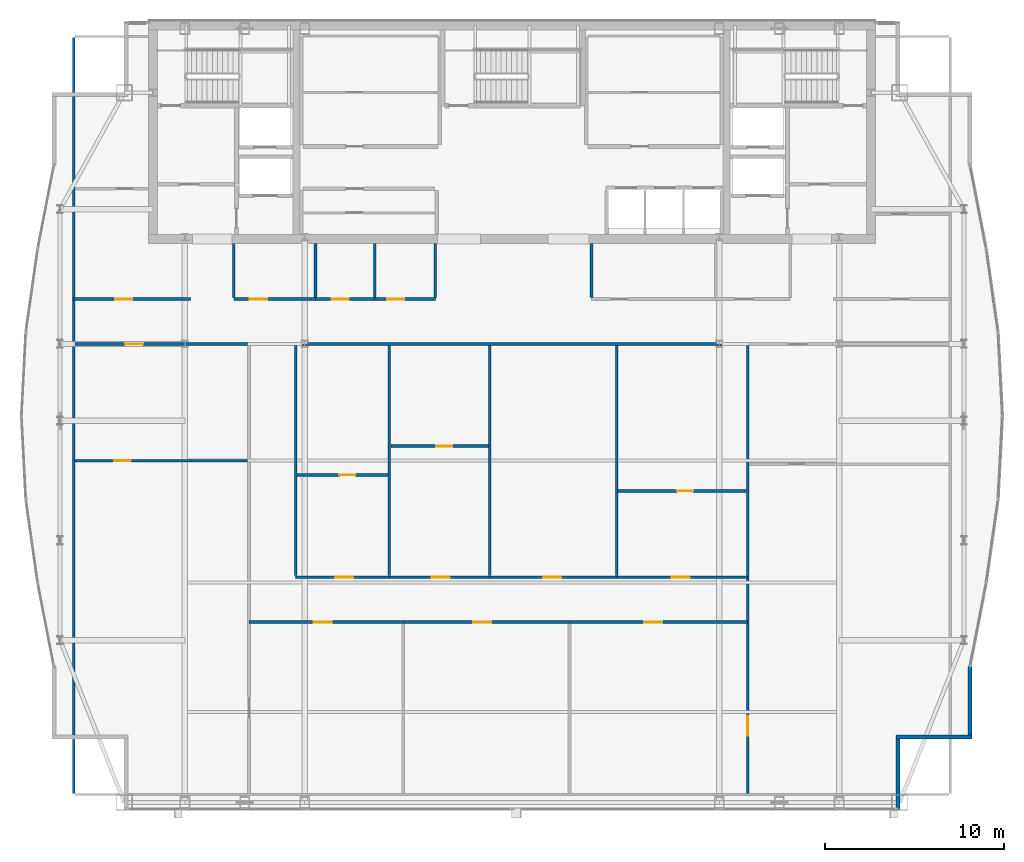
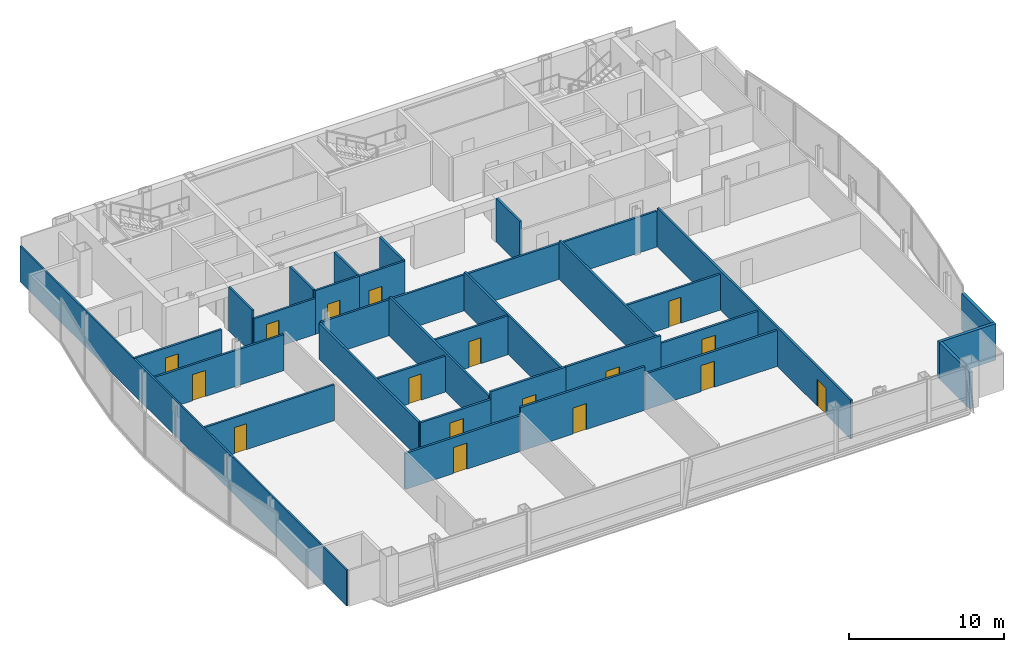
# One storey, part 22 of 27: 31 walls, 17 doors, 17 openings.
"""IFC4 building model written with IfcOpenShell, lengths in metres."""

import ifcopenshell
import ifcopenshell.guid

model = None  # the IFC model being written
_history = None  # IfcOwnerHistory: only IFC2X3 demands one
_inside = {}  # id of a spatial element -> (the spatial element, [elements in it])
_under = {}  # id of a project, library or spatial element -> (it, [spatial elements below it])
_declared = {}  # id of a project -> (the project, [libraries it declares])
_typed = {}  # id of a type object -> (the type object, [elements of that type])
_made_of = {}  # id of a material, layer set ... -> (it, [elements and type objects made of it])


def new_model(schema):
    """Start an empty IFC model of exactly this schema.

    Asked for "IFC4X3", IfcOpenShell would pick the latest addendum, in which some entities
    have other attributes; the version numbers below select the first issue.
    IFC2X3 requires an IfcOwnerHistory on every rooted entity: one is made here for all.
    """
    global model, _history
    if schema == "IFC4X3":
        model = ifcopenshell.file(schema_version=(4, 3, 0, 0))
    else:
        model = ifcopenshell.file(schema=schema)
    _inside.clear()
    _under.clear()
    _declared.clear()
    _typed.clear()
    _made_of.clear()
    _history = None
    if model.schema == "IFC2X3":
        org = make("IfcOrganization", Name="unknown")
        user = make(
            "IfcPersonAndOrganization",
            ThePerson=make("IfcPerson", FamilyName="unknown"),
            TheOrganization=org,
        )
        app = make(
            "IfcApplication",
            ApplicationDeveloper=org,
            Version="unknown",
            ApplicationFullName="unknown",
            ApplicationIdentifier="unknown",
        )
        _history = make(
            "IfcOwnerHistory",
            OwningUser=user,
            OwningApplication=app,
            ChangeAction="ADDED",
            CreationDate=0,
        )
    return model


def make(cls, **values):
    """One entity of the class cls with the attributes given. An attribute that is None is left unset."""
    return model.create_entity(
        cls, **{name: value for name, value in values.items() if value is not None}
    )


def rooted(cls, **values):
    """An entity with a GlobalId (a new one), such as an element, a storey or a relation."""
    return make(cls, GlobalId=ifcopenshell.guid.new(), OwnerHistory=_history, **values)


def si_unit(unit_type, name, prefix=None):
    """IfcSIUnit, for example si_unit("LENGTHUNIT", "METRE", prefix="MILLI")."""
    return make("IfcSIUnit", UnitType=unit_type, Prefix=prefix, Name=name)


def assignment(units):
    """IfcUnitAssignment: the units of a project."""
    return None if units is None else make("IfcUnitAssignment", Units=units)


def point(xyz):
    """IfcCartesianPoint."""
    return None if xyz is None else make("IfcCartesianPoint", Coordinates=xyz)


def direction(xyz):
    """IfcDirection."""
    return None if xyz is None else make("IfcDirection", DirectionRatios=xyz)


def frame(location, z_axis=None, x_axis=None):
    """IfcAxis2Placement3D, a coordinate frame: its origin and axes. An axis left out is left unset."""
    return make(
        "IfcAxis2Placement3D",
        Location=point(location),
        Axis=direction(z_axis),
        RefDirection=direction(x_axis),
    )


def frame_2d(location, x_axis=None):
    """IfcAxis2Placement2D, a coordinate frame in the plane: its origin and x axis."""
    return make(
        "IfcAxis2Placement2D", Location=point(location), RefDirection=direction(x_axis)
    )


def origin():
    """The frame at (0, 0, 0) with its axes left unset."""
    return frame((0.0, 0.0, 0.0))


def place(relative_to, where):
    """IfcLocalPlacement: puts the frame where relative to a parent placement (None: the world)."""
    return make(
        "IfcLocalPlacement", PlacementRelTo=relative_to, RelativePlacement=where
    )


def context(
    kind, dimensions, precision=None, world=None, true_north=None, identifier=None
):
    """IfcGeometricRepresentationContext, for example the 3D "Model" context."""
    return make(
        "IfcGeometricRepresentationContext",
        ContextIdentifier=identifier,
        ContextType=kind,
        CoordinateSpaceDimension=dimensions,
        Precision=precision,
        WorldCoordinateSystem=world,
        TrueNorth=true_north,
    )


def subcontext(parent, identifier, kind, view, scale=None):
    """IfcGeometricRepresentationSubContext, for example "Body" below "Model"."""
    return make(
        "IfcGeometricRepresentationSubContext",
        ContextIdentifier=identifier,
        ContextType=kind,
        ParentContext=parent,
        TargetScale=scale,
        TargetView=view,
    )


def project(units=None, contexts=None):
    """IfcProject with its units and contexts."""
    return rooted(
        "IfcProject",
        Name="project",
        RepresentationContexts=contexts,
        UnitsInContext=assignment(units),
    )


def spatial(cls, under=None, at=None, **own):
    """A site, building, storey or space (cls), placed at a placement, below another one or the project."""
    s = rooted(cls, ObjectPlacement=at, **own)
    if under is not None:
        _under.setdefault(under.id(), (under, []))[1].append(s)
    return s


def profile(cls, at=None, kind="AREA", **sizes):
    """A parametric profile (cls). Its sizes go by their IFC names, for example OverallWidth=200.0."""
    return make(cls, ProfileType=kind, Position=at, **sizes)


def rectangle(**sizes):
    """IfcRectangleProfileDef."""
    return profile("IfcRectangleProfileDef", **sizes)


def extrude(swept, where, along, depth):
    """IfcExtrudedAreaSolid: the profile swept, set in the frame where, extruded along a direction by depth."""
    return make(
        "IfcExtrudedAreaSolid",
        SweptArea=swept,
        Position=where,
        ExtrudedDirection=direction(along),
        Depth=depth,
    )


def shape(context_of_items, identifier, shape_type, items):
    """IfcShapeRepresentation: the items that make up one representation, for example the "Body"."""
    return make(
        "IfcShapeRepresentation",
        ContextOfItems=context_of_items,
        RepresentationIdentifier=identifier,
        RepresentationType=shape_type,
        Items=items,
    )


def material(Name=None, Category=None):
    """IfcMaterial."""
    return make("IfcMaterial", Name=Name, Category=Category)


def layer(
    of_material, thickness, ventilated=None, Name=None, Category=None, Priority=None
):
    """IfcMaterialLayer: one layer of a wall or slab, of a material (None: an air gap)."""
    return make(
        "IfcMaterialLayer",
        Material=of_material,
        LayerThickness=thickness,
        IsVentilated=ventilated,
        Name=Name,
        Category=Category,
        Priority=Priority,
    )


def layer_set(layers, Name=None):
    """IfcMaterialLayerSet."""
    return make("IfcMaterialLayerSet", MaterialLayers=layers, LayerSetName=Name)


def made_of(thing, what):
    """Note that an element or type object is made of a material, layer set ...; save() writes the relation."""
    if what is not None:
        _made_of.setdefault(what.id(), (what, []))[1].append(thing)
    return thing


def type_object(cls, material=None, **own):
    """A type object (cls), such as IfcWallType, which elements share."""
    return made_of(rooted(cls, **own), material)


def element(
    cls,
    number,
    at=None,
    inside=None,
    cuts=None,
    type_object=None,
    material=None,
    context=None,
    identifier="Body",
    shape_type=None,
    held_by="IfcProductDefinitionShape",
    body=None,
    shapes=None,
    **own,
):
    """One element of the class cls, such as IfcWall. Its Tag is "e" and its number.

    at: its placement. inside: the storey or other place that contains it. cuts: it is an
    opening in that element (IfcRelVoidsElement). A single representation is given by context,
    identifier, shape_type and body (its items); several are given by shapes. held_by: the class
    of the entity that holds the representations. save() writes the other relations.
    """
    e = rooted(cls, Tag="e%d" % number, ObjectPlacement=at, **own)
    if body is not None:
        shapes = [shape(context, identifier, shape_type, body)]
    if shapes is not None:
        e.Representation = make(held_by, Representations=shapes)
    if inside is not None:
        _inside.setdefault(inside.id(), (inside, []))[1].append(e)
    if cuts is not None:
        rooted(
            "IfcRelVoidsElement", RelatingBuildingElement=cuts, RelatedOpeningElement=e
        )
    if type_object is not None:
        _typed.setdefault(type_object.id(), (type_object, []))[1].append(e)
    return made_of(e, material)


def fill(opening, filler):
    """IfcRelFillsElement: the door or window that sits in an opening."""
    return rooted(
        "IfcRelFillsElement",
        RelatingOpeningElement=opening,
        RelatedBuildingElement=filler,
    )


def aggregate(whole, parts):
    """IfcRelAggregates: a whole, such as a stair, and the parts it consists of."""
    return rooted("IfcRelAggregates", RelatingObject=whole, RelatedObjects=parts)


def save(model, path):
    """Write the relations noted so far, then the file.

    IfcRelAggregates (storeys below a building ...), IfcRelContainedInSpatialStructure (elements
    in a storey), IfcRelDefinesByType, IfcRelAssociatesMaterial and IfcRelDeclares: one each for
    every whole, place, type object, material and project.
    """
    for whole, parts in _under.values():
        aggregate(whole, parts)
    for where, things in _inside.values():
        rooted(
            "IfcRelContainedInSpatialStructure",
            RelatedElements=things,
            RelatingStructure=where,
        )
    for kind, things in _typed.values():
        rooted("IfcRelDefinesByType", RelatedObjects=things, RelatingType=kind)
    for what, things in _made_of.values():
        rooted("IfcRelAssociatesMaterial", RelatedObjects=things, RelatingMaterial=what)
    for by, libraries in _declared.values():
        rooted("IfcRelDeclares", RelatingContext=by, RelatedDefinitions=libraries)
    model.write(path)


model = new_model("IFC4")

# Units and contexts
model_context = context("Model", 3, precision=1e-05, world=origin(), true_north=direction((0.0, 1.0)))
body_context = subcontext(model_context, "Body", "Model", "MODEL_VIEW")
ifc_project = project(units=[si_unit("LENGTHUNIT", "METRE"), si_unit("AREAUNIT", "SQUARE_METRE"), si_unit("VOLUMEUNIT", "CUBIC_METRE"), si_unit("PLANEANGLEUNIT", "RADIAN"), si_unit("MASSUNIT", "GRAM", prefix="KILO")], contexts=[model_context])

# Site, building, storey
site_placement = place(None, origin())
site = spatial("IfcSite", under=ifc_project, at=site_placement, CompositionType="ELEMENT")
building_placement = place(site_placement, origin())
building = spatial("IfcBuilding", under=site, at=building_placement, Name="Khoronbel Lancet Exchange", CompositionType="ELEMENT")
storey_placement = place(building_placement, frame((0.0, 0.0, 332.60009765625)))
storey = spatial("IfcBuildingStorey", under=building, at=storey_placement, Name="L86", CompositionType="ELEMENT", Elevation=332.60009765625)

# Walls
ifc_material_1 = material(Name="Precast concrete C40/50", Category="concrete")
ifc_layer_1 = layer(ifc_material_1, 0.25, Name="Precast concrete C40/50")
ifc_layer_set_1 = layer_set([ifc_layer_1], Name="Precast concrete C40/50")
wall_type_1 = type_object("IfcWallType", Name="WL-EXT250", PredefinedType="SOLIDWALL", material=ifc_layer_set_1)
wall_1_placement = place(storey_placement, frame((61.9599609375, 17.728759765625, 0.0), z_axis=(0.0, 0.0, 1.0), x_axis=(0.0, -1.0, 0.0)))
element("IfcWall", 1, at=wall_1_placement, inside=storey, type_object=wall_type_1, Name="Level L86 notched-corner limestone pier 23", PredefinedType="SOLIDWALL", context=body_context, shape_type="SweptSolid", body=[
    extrude(rectangle(XDim=3.828857421875, YDim=0.219970703125, at=frame_2d((1.91455078125, 0.0))), origin(), (0.0, 0.0, 1.0), 2.8798828125),
])
wall_2_placement = place(storey_placement, frame((62.070068359375, 13.7900390625, 0.0), z_axis=(0.0, 0.0, 1.0), x_axis=(-1.0, 0.0, 0.0)))
element("IfcWall", 2, at=wall_2_placement, inside=storey, type_object=wall_type_1, Name="Level L86 notched-corner limestone pier 24", PredefinedType="SOLIDWALL", context=body_context, shape_type="SweptSolid", body=[
    extrude(rectangle(XDim=4.219970703125, YDim=0.219970703125, at=frame_2d((2.10986328125, 0.0))), origin(), (0.0, 0.0, 1.0), 2.8798828125),
])
wall_3_placement = place(storey_placement, frame((57.9599609375, 13.679931640625, 0.0), z_axis=(0.0, 0.0, 1.0), x_axis=(0.0, -1.0, 0.0)))
element("IfcWall", 3, at=wall_3_placement, inside=storey, type_object=wall_type_1, Name="Level L86 notched-corner limestone pier 25", PredefinedType="SOLIDWALL", context=body_context, shape_type="SweptSolid", body=[
    extrude(rectangle(XDim=3.909912109375, YDim=0.219970703125, at=frame_2d((1.955078125, 0.0))), origin(), (0.0, 0.0, 1.0), 2.8798828125),
])
ifc_material_2 = material(Name="Acoustic Metal-Stud & Mineral-Wool Gypsum Partition 120 mm", Category="gypsum")
ifc_layer_2 = layer(ifc_material_2, 0.1201171875, Name="Acoustic Metal-Stud & Mineral-Wool Gypsum Partition 120 mm")
ifc_layer_set_2 = layer_set([ifc_layer_2], Name="Acoustic Metal-Stud & Mineral-Wool Gypsum Partition 120 mm")
wall_type_2 = type_object("IfcWallType", Name="WL-PRT120", PredefinedType="PARTITIONING", material=ifc_layer_set_2)
for number, where, z_axis, x_axis, name in (
    (4, (20.949951171875, 38.280029296875, 0.0), (0.0, 0.0, 1.0), (0.0, 1.0, 0.0), "Level L86 interior partition PW-WC-0"),
    (5, (25.5, 38.280029296875, 0.0), (0.0, 0.0, 1.0), (0.0, 1.0, 0.0), "Level L86 interior partition PW-WC-1"),
    (6, (28.800048828125, 38.280029296875, 0.0), (0.0, 0.0, 1.0), (0.0, 1.0, 0.0), "Level L86 interior partition PW-WC-2"),
    (7, (32.179931640625, 38.280029296875, 0.0), (0.0, 0.0, 1.0), (0.0, 1.0, 0.0), "Level L86 interior partition PW-WC-3"),
    (8, (40.8798828125, 38.280029296875, 0.0), (0.0, 0.0, 1.0), (0.0, 1.0, 0.0), "Level L86 interior partition PW-NP-0"),
):
    element("IfcWall", number, at=place(storey_placement, frame(where, z_axis=z_axis, x_axis=x_axis)), inside=storey, type_object=wall_type_2, Name=name, PredefinedType="PARTITIONING", context=body_context, shape_type="SweptSolid", body=[
        extrude(rectangle(XDim=3.02001953125, YDim=0.14990234375, at=frame_2d((1.510009765625, 0.0))), origin(), (0.0, 0.0, 1.0), 3.43994140625),
    ])

# Wall, opening, door
wall_4_placement = place(storey_placement, frame((12.094970703125, 29.199951171875, 0.0), z_axis=(0.0, 0.0, 1.0), x_axis=(1.0, 0.0, 0.0)))
wall_4 = element("IfcWall", 9, at=wall_4_placement, inside=storey, type_object=wall_type_2, Name="Level L86 interior partition PW-Z4-WH", PredefinedType="PARTITIONING", context=body_context, shape_type="SweptSolid", body=[
    extrude(rectangle(XDim=9.625, YDim=0.14990234375, at=frame_2d((4.8125, 0.0))), origin(), (0.0, 0.0, 1.0), 2.829833984375),
])
opening_1_placement = place(wall_4_placement, frame((2.199951171875, 0.0, 0.0)))
opening_1 = element("IfcOpeningElement", 10, at=opening_1_placement, cuts=wall_4, Name="Opening D5", PredefinedType="OPENING", context=body_context, shape_type="SweptSolid", body=[
    extrude(rectangle(XDim=0.89990234375, YDim=2.050048828125, at=frame_2d((0.449951171875, 1.02490234375))), frame((0.0, 0.0849609375, 0.0), z_axis=(0.0, -1.0, 0.0), x_axis=(1.0, 0.0, 0.0)), (0.0, 0.0, 1.0), 0.169921875),
])
ifc_material_3 = material(Name="Acoustic Timber Pantry & Support Door", Category="wood")
door_type_1 = type_object("IfcDoorType", Name="DR-D5", OperationType="NOTDEFINED", PredefinedType="DOOR", material=ifc_material_3)
door_1_placement = place(opening_1_placement, origin())
door_1 = element("IfcDoor", 11, at=door_1_placement, inside=storey, type_object=door_type_1, Name="West lens inner door L86-1", OperationType="SINGLE_SWING_RIGHT", OverallHeight=2.050048828125, OverallWidth=0.89990234375, PredefinedType="DOOR", context=body_context, shape_type="SweptSolid", body=[
    extrude(rectangle(XDim=0.89990234375, YDim=2.050048828125, at=frame_2d((0.449951171875, 1.02490234375))), frame((0.0, 0.02490234375, 0.0), z_axis=(0.0, -1.0, 0.0), x_axis=(1.0, 0.0, 0.0)), (0.0, 0.0, 1.0), 0.050048828125),
])
fill(opening_1, door_1)

wall_5_placement = place(storey_placement, frame((24.47998046875, 28.398193359375, 0.0), z_axis=(0.0, 0.0, 1.0), x_axis=(1.0, 0.0, 0.0)))
wall_5 = element("IfcWall", 12, at=wall_5_placement, inside=storey, type_object=wall_type_2, Name="Level L86 interior partition PW-Z4C-H1", PredefinedType="PARTITIONING", context=body_context, shape_type="SweptSolid", body=[
    extrude(rectangle(XDim=5.0576171875, YDim=0.14990234375, at=frame_2d((2.52880859375, 0.0))), origin(), (0.0, 0.0, 1.0), 2.829833984375),
])
opening_2_placement = place(wall_5_placement, frame((2.347900390625, 0.0, 0.0)))
opening_2 = element("IfcOpeningElement", 13, at=opening_2_placement, cuts=wall_5, Name="Opening D5", PredefinedType="OPENING", context=body_context, shape_type="SweptSolid", body=[
    extrude(rectangle(XDim=0.89990234375, YDim=2.050048828125, at=frame_2d((0.449951171875, 1.02490234375))), frame((0.0, 0.0849609375, 0.0), z_axis=(0.0, -1.0, 0.0), x_axis=(1.0, 0.0, 0.0)), (0.0, 0.0, 1.0), 0.169921875),
])
door_2_placement = place(opening_2_placement, origin())
door_2 = element("IfcDoor", 14, at=door_2_placement, inside=storey, type_object=door_type_1, Name="Z4C inner door 1 L86-1", OperationType="SINGLE_SWING_LEFT", OverallHeight=2.050048828125, OverallWidth=0.89990234375, PredefinedType="DOOR", context=body_context, shape_type="SweptSolid", body=[
    extrude(rectangle(XDim=0.89990234375, YDim=2.050048828125, at=frame_2d((0.449951171875, 1.02490234375))), frame((0.0, 0.02490234375, 0.0), z_axis=(0.0, -1.0, 0.0), x_axis=(1.0, 0.0, 0.0)), (0.0, 0.0, 1.0), 0.050048828125),
])
fill(opening_2, door_2)

wall_6_placement = place(storey_placement, frame((29.69775390625, 30.01025390625, 0.0), z_axis=(0.0, 0.0, 1.0), x_axis=(1.0, 0.0, 0.0)))
wall_6 = element("IfcWall", 15, at=wall_6_placement, inside=storey, type_object=wall_type_2, Name="Level L86 interior partition PW-Z4C-H2", PredefinedType="PARTITIONING", context=body_context, shape_type="SweptSolid", body=[
    extrude(rectangle(XDim=5.438232421875, YDim=0.14990234375, at=frame_2d((2.71923828125, 0.0))), origin(), (0.0, 0.0, 1.0), 3.06982421875),
])
opening_3_placement = place(wall_6_placement, frame((2.519287109375, 0.0, 0.0)))
opening_3 = element("IfcOpeningElement", 16, at=opening_3_placement, cuts=wall_6, Name="Opening D5", PredefinedType="OPENING", context=body_context, shape_type="SweptSolid", body=[
    extrude(rectangle(XDim=0.89990234375, YDim=2.050048828125, at=frame_2d((0.449951171875, 1.02490234375))), frame((0.0, 0.0849609375, 0.0), z_axis=(0.0, -1.0, 0.0), x_axis=(1.0, 0.0, 0.0)), (0.0, 0.0, 1.0), 0.169921875),
])
door_3_placement = place(opening_3_placement, origin())
door_3 = element("IfcDoor", 17, at=door_3_placement, inside=storey, type_object=door_type_1, Name="Z4C inner door 2 L86-1", OperationType="SINGLE_SWING_LEFT", OverallHeight=2.050048828125, OverallWidth=0.89990234375, PredefinedType="DOOR", context=body_context, shape_type="SweptSolid", body=[
    extrude(rectangle(XDim=0.89990234375, YDim=2.050048828125, at=frame_2d((0.449951171875, 1.02490234375))), frame((0.0, 0.02490234375, 0.0), z_axis=(0.0, -1.0, 0.0), x_axis=(1.0, 0.0, 0.0)), (0.0, 0.0, 1.0), 0.050048828125),
])
fill(opening_3, door_3)

wall_7_placement = place(storey_placement, frame((42.367431640625, 27.506591796875, 0.0), z_axis=(0.0, 0.0, 1.0), x_axis=(1.0, 0.0, 0.0)))
wall_7 = element("IfcWall", 18, at=wall_7_placement, inside=storey, type_object=wall_type_2, Name="Level L86 interior partition PW-Z4C-H4", PredefinedType="PARTITIONING", context=body_context, shape_type="SweptSolid", body=[
    extrude(rectangle(XDim=7.132568359375, YDim=0.14990234375, at=frame_2d((3.56640625, 0.0))), origin(), (0.0, 0.0, 1.0), 2.829833984375),
])
opening_4_placement = place(wall_7_placement, frame((3.281494140625, 0.0, 0.0)))
opening_4 = element("IfcOpeningElement", 19, at=opening_4_placement, cuts=wall_7, Name="Opening D5", PredefinedType="OPENING", context=body_context, shape_type="SweptSolid", body=[
    extrude(rectangle(XDim=0.89990234375, YDim=2.050048828125, at=frame_2d((0.449951171875, 1.02490234375))), frame((0.0, 0.0849609375, 0.0), z_axis=(0.0, -1.0, 0.0), x_axis=(1.0, 0.0, 0.0)), (0.0, 0.0, 1.0), 0.169921875),
])
door_4_placement = place(opening_4_placement, origin())
door_4 = element("IfcDoor", 20, at=door_4_placement, inside=storey, type_object=door_type_1, Name="Z4C inner door 4 L86-1", OperationType="SINGLE_SWING_RIGHT", OverallHeight=2.050048828125, OverallWidth=0.89990234375, PredefinedType="DOOR", context=body_context, shape_type="SweptSolid", body=[
    extrude(rectangle(XDim=0.89990234375, YDim=2.050048828125, at=frame_2d((0.449951171875, 1.02490234375))), frame((0.0, 0.02490234375, 0.0), z_axis=(0.0, -1.0, 0.0), x_axis=(1.0, 0.0, 0.0)), (0.0, 0.0, 1.0), 0.050048828125),
])
fill(opening_4, door_4)

# Wall
wall_8_placement = place(storey_placement, frame((12.030029296875, 10.6650390625, 0.0), z_axis=(0.0, 0.0, 1.0), x_axis=(0.0, 1.0, 0.0)))
element("IfcWall", 21, at=wall_8_placement, inside=storey, type_object=wall_type_2, Name="Level L86 interior partition PW-LIN-W", PredefinedType="PARTITIONING", context=body_context, shape_type="SweptSolid", body=[
    extrude(rectangle(XDim=42.10986328125, YDim=0.1201171875, at=frame_2d((21.054931640625, 0.0))), origin(), (0.0, 0.0, 1.0), 2.829833984375),
])

# Wall, opening, door
ifc_material_4 = material(Name="Fire-Rated Twin-Stud Acoustic Gypsum Partition 150 mm", Category="gypsum")
ifc_layer_3 = layer(ifc_material_4, 0.14990234375, Name="Fire-Rated Twin-Stud Acoustic Gypsum Partition 150 mm")
ifc_layer_set_3 = layer_set([ifc_layer_3], Name="Fire-Rated Twin-Stud Acoustic Gypsum Partition 150 mm")
wall_type_3 = type_object("IfcWallType", Name="WL-PRT150C", PredefinedType="PARTITIONING", material=ifc_layer_set_3)
wall_9_placement = place(storey_placement, frame((20.949951171875, 38.199951171875, 0.0), z_axis=(0.0, 0.0, 1.0), x_axis=(1.0, 0.0, 0.0)))
wall_9 = element("IfcWall", 22, at=wall_9_placement, inside=storey, type_object=wall_type_3, Name="Level L86 interior partition PW-WC-S1", PredefinedType="PARTITIONING", context=body_context, shape_type="SweptSolid", body=[
    extrude(rectangle(XDim=4.550048828125, YDim=0.14990234375, at=frame_2d((2.27490234375, 0.0))), origin(), (0.0, 0.0, 1.0), 2.829833984375),
])
opening_5_placement = place(wall_9_placement, frame((0.89990234375, 0.0, 0.0)))
opening_5 = element("IfcOpeningElement", 23, at=opening_5_placement, cuts=wall_9, Name="Opening D4", PredefinedType="OPENING", context=body_context, shape_type="SweptSolid", body=[
    extrude(rectangle(XDim=0.949951171875, YDim=2.050048828125, at=frame_2d((0.47509765625, 1.02490234375))), frame((0.0, 0.0849609375, 0.0), z_axis=(0.0, -1.0, 0.0), x_axis=(1.0, 0.0, 0.0)), (0.0, 0.0, 1.0), 0.169921875),
])
ifc_material_5 = material(Name="Moisture-Resistant HPL Washroom Door", Category="wood")
door_type_2 = type_object("IfcDoorType", Name="DR-D4", OperationType="NOTDEFINED", PredefinedType="DOOR", material=ifc_material_5)
door_5_placement = place(opening_5_placement, origin())
door_5 = element("IfcDoor", 24, at=door_5_placement, inside=storey, type_object=door_type_2, Name="Male washroom door L86-1", OperationType="SINGLE_SWING_LEFT", OverallHeight=2.050048828125, OverallWidth=0.949951171875, PredefinedType="DOOR", context=body_context, shape_type="SweptSolid", body=[
    extrude(rectangle(XDim=0.949951171875, YDim=2.050048828125, at=frame_2d((0.47509765625, 1.02490234375))), frame((0.0, 0.02490234375, 0.0), z_axis=(0.0, -1.0, 0.0), x_axis=(1.0, 0.0, 0.0)), (0.0, 0.0, 1.0), 0.050048828125),
])
fill(opening_5, door_5)

wall_10_placement = place(storey_placement, frame((25.5, 38.199951171875, 0.0), z_axis=(0.0, 0.0, 1.0), x_axis=(1.0, 0.0, 0.0)))
wall_10 = element("IfcWall", 25, at=wall_10_placement, inside=storey, type_object=wall_type_3, Name="Level L86 interior partition PW-WC-S2", PredefinedType="PARTITIONING", context=body_context, shape_type="SweptSolid", body=[
    extrude(rectangle(XDim=3.300048828125, YDim=0.14990234375, at=frame_2d((1.64990234375, 0.0))), origin(), (0.0, 0.0, 1.0), 3.43994140625),
])
opening_6_placement = place(wall_10_placement, frame((0.89990234375, 0.0, 0.0)))
opening_6 = element("IfcOpeningElement", 26, at=opening_6_placement, cuts=wall_10, Name="Opening D4", PredefinedType="OPENING", context=body_context, shape_type="SweptSolid", body=[
    extrude(rectangle(XDim=0.949951171875, YDim=2.050048828125, at=frame_2d((0.47509765625, 1.02490234375))), frame((0.0, 0.0849609375, 0.0), z_axis=(0.0, -1.0, 0.0), x_axis=(1.0, 0.0, 0.0)), (0.0, 0.0, 1.0), 0.169921875),
])
door_6_placement = place(opening_6_placement, origin())
door_6 = element("IfcDoor", 27, at=door_6_placement, inside=storey, type_object=door_type_2, Name="Female washroom door L86-1", OperationType="SINGLE_SWING_RIGHT", OverallHeight=2.050048828125, OverallWidth=0.949951171875, PredefinedType="DOOR", context=body_context, shape_type="SweptSolid", body=[
    extrude(rectangle(XDim=0.949951171875, YDim=2.050048828125, at=frame_2d((0.47509765625, 1.02490234375))), frame((0.0, 0.02490234375, 0.0), z_axis=(0.0, -1.0, 0.0), x_axis=(1.0, 0.0, 0.0)), (0.0, 0.0, 1.0), 0.050048828125),
])
fill(opening_6, door_6)

wall_11_placement = place(storey_placement, frame((28.800048828125, 38.199951171875, 0.0), z_axis=(0.0, 0.0, 1.0), x_axis=(1.0, 0.0, 0.0)))
wall_11 = element("IfcWall", 28, at=wall_11_placement, inside=storey, type_object=wall_type_3, Name="Level L86 interior partition PW-WC-S3", PredefinedType="PARTITIONING", context=body_context, shape_type="SweptSolid", body=[
    extrude(rectangle(XDim=3.3798828125, YDim=0.14990234375, at=frame_2d((1.68994140625, 0.0))), origin(), (0.0, 0.0, 1.0), 3.43994140625),
])
opening_7_placement = place(wall_11_placement, frame((0.699951171875, 0.0, 0.0)))
opening_7 = element("IfcOpeningElement", 29, at=opening_7_placement, cuts=wall_11, Name="Opening D4", PredefinedType="OPENING", context=body_context, shape_type="SweptSolid", body=[
    extrude(rectangle(XDim=0.949951171875, YDim=2.050048828125, at=frame_2d((0.47509765625, 1.02490234375))), frame((0.0, 0.0849609375, 0.0), z_axis=(0.0, -1.0, 0.0), x_axis=(1.0, 0.0, 0.0)), (0.0, 0.0, 1.0), 0.169921875),
])
door_7_placement = place(opening_7_placement, origin())
door_7 = element("IfcDoor", 30, at=door_7_placement, inside=storey, type_object=door_type_2, Name="Accessible WC door L86-1", OperationType="SINGLE_SWING_LEFT", OverallHeight=2.050048828125, OverallWidth=0.949951171875, PredefinedType="DOOR", context=body_context, shape_type="SweptSolid", body=[
    extrude(rectangle(XDim=0.949951171875, YDim=2.050048828125, at=frame_2d((0.47509765625, 1.02490234375))), frame((0.0, 0.02490234375, 0.0), z_axis=(0.0, -1.0, 0.0), x_axis=(1.0, 0.0, 0.0)), (0.0, 0.0, 1.0), 0.050048828125),
])
fill(opening_7, door_7)

wall_12_placement = place(storey_placement, frame((12.030029296875, 38.199951171875, 0.0), z_axis=(0.0, 0.0, 1.0), x_axis=(1.0, 0.0, 0.0)))
wall_12 = element("IfcWall", 31, at=wall_12_placement, inside=storey, type_object=wall_type_3, Name="Level L86 interior partition PW-NW-S", PredefinedType="PARTITIONING", context=body_context, shape_type="SweptSolid", body=[
    extrude(rectangle(XDim=6.52001953125, YDim=0.14990234375, at=frame_2d((3.260009765625, 0.0))), origin(), (0.0, 0.0, 1.0), 2.829833984375),
])
opening_8_placement = place(wall_12_placement, frame((2.320068359375, 0.0, 0.0)))
opening_8 = element("IfcOpeningElement", 32, at=opening_8_placement, cuts=wall_12, Name="Opening D1", PredefinedType="OPENING", context=body_context, shape_type="SweptSolid", body=[
    extrude(rectangle(XDim=0.949951171875, YDim=2.050048828125, at=frame_2d((0.47509765625, 1.02490234375))), frame((0.0, 0.0849609375, 0.0), z_axis=(0.0, -1.0, 0.0), x_axis=(1.0, 0.0, 0.0)), (0.0, 0.0, 1.0), 0.169921875),
])
ifc_material_6 = material(Name="Acoustic Veneered Timber & Bronze Frame Door", Category="wood")
door_type_3 = type_object("IfcDoorType", Name="DR-D1", OperationType="NOTDEFINED", PredefinedType="DOOR", material=ifc_material_6)
door_8_placement = place(opening_8_placement, origin())
door_8 = element("IfcDoor", 33, at=door_8_placement, inside=storey, type_object=door_type_3, Name="NW corner room door L86-1", OperationType="SINGLE_SWING_RIGHT", OverallHeight=2.050048828125, OverallWidth=0.949951171875, PredefinedType="DOOR", context=body_context, shape_type="SweptSolid", body=[
    extrude(rectangle(XDim=0.949951171875, YDim=2.050048828125, at=frame_2d((0.47509765625, 1.02490234375))), frame((0.0, 0.02490234375, 0.0), z_axis=(0.0, -1.0, 0.0), x_axis=(1.0, 0.0, 0.0)), (0.0, 0.0, 1.0), 0.050048828125),
])
fill(opening_8, door_8)

wall_13_placement = place(storey_placement, frame((12.094970703125, 35.699951171875, 0.0), z_axis=(0.0, 0.0, 1.0), x_axis=(1.0, 0.0, 0.0)))
wall_13 = element("IfcWall", 34, at=wall_13_placement, inside=storey, type_object=wall_type_3, Name="Level L86 interior partition PW-Z4-WN", PredefinedType="PARTITIONING", context=body_context, shape_type="SweptSolid", body=[
    extrude(rectangle(XDim=9.625, YDim=0.14990234375, at=frame_2d((4.8125, 0.0))), origin(), (0.0, 0.0, 1.0), 2.829833984375),
])
opening_9_placement = place(wall_13_placement, frame((2.800048828125, 0.0, 0.0)))
opening_9 = element("IfcOpeningElement", 35, at=opening_9_placement, cuts=wall_13, Name="Opening D2", PredefinedType="OPENING", context=body_context, shape_type="SweptSolid", body=[
    extrude(rectangle(XDim=1.0, YDim=2.050048828125, at=frame_2d((0.5, 1.02490234375))), frame((0.0, 0.0849609375, 0.0), z_axis=(0.0, -1.0, 0.0), x_axis=(1.0, 0.0, 0.0)), (0.0, 0.0, 1.0), 0.169921875),
])
door_type_4 = type_object("IfcDoorType", Name="DR-D2", OperationType="NOTDEFINED", PredefinedType="DOOR", material=ifc_material_6)
door_9_placement = place(opening_9_placement, origin())
door_9 = element("IfcDoor", 36, at=door_9_placement, inside=storey, type_object=door_type_4, Name="West lens north door L86-1", OperationType="SINGLE_SWING_LEFT", OverallHeight=2.050048828125, OverallWidth=1.0, PredefinedType="DOOR", context=body_context, shape_type="SweptSolid", body=[
    extrude(rectangle(XDim=1.0, YDim=2.050048828125, at=frame_2d((0.5, 1.02490234375))), frame((0.0, 0.02490234375, 0.0), z_axis=(0.0, -1.0, 0.0), x_axis=(1.0, 0.0, 0.0)), (0.0, 0.0, 1.0), 0.050048828125),
])
fill(opening_9, door_9)

# Wall
wall_14_placement = place(storey_placement, frame((24.39990234375, 22.784912109375, 0.0), z_axis=(0.0, 0.0, 1.0), x_axis=(0.0, 1.0, 0.0)))
element("IfcWall", 37, at=wall_14_placement, inside=storey, type_object=wall_type_3, Name="Level L86 interior partition PW-Z4-WE", PredefinedType="PARTITIONING", context=body_context, shape_type="SweptSolid", body=[
    extrude(rectangle(XDim=12.835205078125, YDim=0.14990234375, at=frame_2d((6.41748046875, 0.0))), origin(), (0.0, 0.0, 1.0), 2.829833984375),
])

# Wall, opening, door
wall_15_placement = place(storey_placement, frame((49.580078125, 10.6650390625, 0.0), z_axis=(0.0, 0.0, 1.0), x_axis=(0.0, 1.0, 0.0)))
wall_15 = element("IfcWall", 38, at=wall_15_placement, inside=storey, type_object=wall_type_3, Name="Level L86 interior partition PW-Z4-PE", PredefinedType="PARTITIONING", context=body_context, shape_type="SweptSolid", body=[
    extrude(rectangle(XDim=24.955078125, YDim=0.14990234375, at=frame_2d((12.4775390625, 0.0))), origin(), (0.0, 0.0, 1.0), 3.06982421875),
])
opening_10_placement = place(wall_15_placement, frame((3.199951171875, 0.0, 0.0)))
opening_10 = element("IfcOpeningElement", 39, at=opening_10_placement, cuts=wall_15, Name="Opening D6", PredefinedType="OPENING", context=body_context, shape_type="SweptSolid", body=[
    extrude(rectangle(XDim=1.10009765625, YDim=2.10009765625, at=frame_2d((0.550048828125, 1.050048828125))), frame((0.0, 0.0849609375, 0.0), z_axis=(0.0, -1.0, 0.0), x_axis=(1.0, 0.0, 0.0)), (0.0, 0.0, 1.0), 0.169921875),
])
ifc_material_7 = material(Name="Acoustic Bronze-Veneer Executive Suite Door", Category="wood")
door_type_5 = type_object("IfcDoorType", Name="DR-D6", OperationType="NOTDEFINED", PredefinedType="DOOR", material=ifc_material_7)
door_10_placement = place(opening_10_placement, origin())
door_10 = element("IfcDoor", 40, at=door_10_placement, inside=storey, type_object=door_type_5, Name="East lens south door L86-1", OperationType="SINGLE_SWING_LEFT", OverallHeight=2.10009765625, OverallWidth=1.10009765625, PredefinedType="DOOR", context=body_context, shape_type="SweptSolid", body=[
    extrude(rectangle(XDim=1.10009765625, YDim=2.10009765625, at=frame_2d((0.550048828125, 1.050048828125))), frame((0.0, 0.02490234375, 0.0), z_axis=(0.0, -1.0, 0.0), x_axis=(1.0, 0.0, 0.0)), (0.0, 0.0, 1.0), 0.050048828125),
])
fill(opening_10, door_10)

# Walls
wall_16_placement = place(storey_placement, frame((24.47998046875, 35.699951171875, 0.0), z_axis=(0.0, 0.0, 1.0), x_axis=(1.0, 0.0, 0.0)))
element("IfcWall", 41, at=wall_16_placement, inside=storey, type_object=wall_type_3, Name="Level L86 interior partition PW-Z4-EN1", PredefinedType="PARTITIONING", context=body_context, shape_type="SweptSolid", body=[
    extrude(rectangle(XDim=25.02001953125, YDim=0.14990234375, at=frame_2d((12.510009765625, 0.0))), origin(), (0.0, 0.0, 1.0), 2.829833984375),
])
for number, where, z_axis, x_axis, name in (
    (42, (29.61767578125, 22.784912109375, 0.0), (0.0, 0.0, 1.0), (0.0, 1.0, 0.0), "Level L86 interior partition PW-Z4C-V1"),
    (43, (35.216064453125, 22.784912109375, 0.0), (0.0, 0.0, 1.0), (0.0, 1.0, 0.0), "Level L86 interior partition PW-Z4C-V2"),
    (44, (42.28759765625, 22.784912109375, 0.0), (0.0, 0.0, 1.0), (0.0, 1.0, 0.0), "Level L86 interior partition PW-Z4C-V3"),
):
    element("IfcWall", number, at=place(storey_placement, frame(where, z_axis=z_axis, x_axis=x_axis)), inside=storey, type_object=wall_type_3, Name=name, PredefinedType="PARTITIONING", context=body_context, shape_type="SweptSolid", body=[
        extrude(rectangle(XDim=12.835205078125, YDim=0.14990234375, at=frame_2d((6.41748046875, 0.0))), origin(), (0.0, 0.0, 1.0), 3.06982421875),
    ])

# Wall, opening, door
ifc_material_8 = material(Name="Fire-Rated Twin-Stud Acoustic Gypsum Partition 160 mm", Category="gypsum")
ifc_layer_4 = layer(ifc_material_8, 0.159912109375, Name="Fire-Rated Twin-Stud Acoustic Gypsum Partition 160 mm")
ifc_layer_set_4 = layer_set([ifc_layer_4], Name="Fire-Rated Twin-Stud Acoustic Gypsum Partition 160 mm")
wall_type_4 = type_object("IfcWallType", Name="WL-PRT160C", PredefinedType="PARTITIONING", material=ifc_layer_set_4)
wall_17_placement = place(storey_placement, frame((24.39990234375, 22.699951171875, 0.0), z_axis=(0.0, 0.0, 1.0), x_axis=(1.0, 0.0, 0.0)))
wall_17 = element("IfcWall", 45, at=wall_17_placement, inside=storey, type_object=wall_type_4, Name="Level L86 interior partition PW-Z4C-COR1", PredefinedType="PARTITIONING", context=body_context, shape_type="SweptSolid", body=[
    extrude(rectangle(XDim=5.2177734375, YDim=0.159912109375, at=frame_2d((2.60888671875, 0.0))), origin(), (0.0, 0.0, 1.0), 2.829833984375),
])
opening_11_placement = place(wall_17_placement, frame((2.19140625, 0.0, 0.0)))
opening_11 = element("IfcOpeningElement", 46, at=opening_11_placement, cuts=wall_17, Name="Opening D2", PredefinedType="OPENING", context=body_context, shape_type="SweptSolid", body=[
    extrude(rectangle(XDim=1.0, YDim=2.050048828125, at=frame_2d((0.5, 1.02490234375))), frame((0.0, 0.08984375, 0.0), z_axis=(0.0, -1.0, 0.0), x_axis=(1.0, 0.0, 0.0)), (0.0, 0.0, 1.0), 0.179931640625),
])
door_11_placement = place(opening_11_placement, origin())
door_11 = element("IfcDoor", 47, at=door_11_placement, inside=storey, type_object=door_type_4, Name="Z4C bay 1 door L86-1", OperationType="SINGLE_SWING_RIGHT", OverallHeight=2.050048828125, OverallWidth=1.0, PredefinedType="DOOR", context=body_context, shape_type="SweptSolid", body=[
    extrude(rectangle(XDim=1.0, YDim=2.050048828125, at=frame_2d((0.5, 1.02490234375))), frame((0.0, 0.02490234375, 0.0), z_axis=(0.0, -1.0, 0.0), x_axis=(1.0, 0.0, 0.0)), (0.0, 0.0, 1.0), 0.050048828125),
])
fill(opening_11, door_11)

wall_18_placement = place(storey_placement, frame((29.61767578125, 22.699951171875, 0.0), z_axis=(0.0, 0.0, 1.0), x_axis=(1.0, 0.0, 0.0)))
wall_18 = element("IfcWall", 48, at=wall_18_placement, inside=storey, type_object=wall_type_4, Name="Level L86 interior partition PW-Z4C-COR2", PredefinedType="PARTITIONING", context=body_context, shape_type="SweptSolid", body=[
    extrude(rectangle(XDim=5.598388671875, YDim=0.159912109375, at=frame_2d((2.79931640625, 0.0))), origin(), (0.0, 0.0, 1.0), 3.43994140625),
])
opening_12_placement = place(wall_18_placement, frame((2.351318359375, 0.0, 0.0)))
opening_12 = element("IfcOpeningElement", 49, at=opening_12_placement, cuts=wall_18, Name="Opening D2", PredefinedType="OPENING", context=body_context, shape_type="SweptSolid", body=[
    extrude(rectangle(XDim=1.0, YDim=2.050048828125, at=frame_2d((0.5, 1.02490234375))), frame((0.0, 0.08984375, 0.0), z_axis=(0.0, -1.0, 0.0), x_axis=(1.0, 0.0, 0.0)), (0.0, 0.0, 1.0), 0.179931640625),
])
door_12_placement = place(opening_12_placement, origin())
door_12 = element("IfcDoor", 50, at=door_12_placement, inside=storey, type_object=door_type_4, Name="Z4C bay 2 door L86-1", OperationType="SINGLE_SWING_RIGHT", OverallHeight=2.050048828125, OverallWidth=1.0, PredefinedType="DOOR", context=body_context, shape_type="SweptSolid", body=[
    extrude(rectangle(XDim=1.0, YDim=2.050048828125, at=frame_2d((0.5, 1.02490234375))), frame((0.0, 0.02490234375, 0.0), z_axis=(0.0, -1.0, 0.0), x_axis=(1.0, 0.0, 0.0)), (0.0, 0.0, 1.0), 0.050048828125),
])
fill(opening_12, door_12)

wall_19_placement = place(storey_placement, frame((35.216064453125, 22.699951171875, 0.0), z_axis=(0.0, 0.0, 1.0), x_axis=(1.0, 0.0, 0.0)))
wall_19 = element("IfcWall", 51, at=wall_19_placement, inside=storey, type_object=wall_type_4, Name="Level L86 interior partition PW-Z4C-COR3", PredefinedType="PARTITIONING", context=body_context, shape_type="SweptSolid", body=[
    extrude(rectangle(XDim=7.071533203125, YDim=0.159912109375, at=frame_2d((3.53564453125, 0.0))), origin(), (0.0, 0.0, 1.0), 3.43994140625),
])
opening_13_placement = place(wall_19_placement, frame((2.969970703125, 0.0, 0.0)))
opening_13 = element("IfcOpeningElement", 52, at=opening_13_placement, cuts=wall_19, Name="Opening D2", PredefinedType="OPENING", context=body_context, shape_type="SweptSolid", body=[
    extrude(rectangle(XDim=1.0, YDim=2.050048828125, at=frame_2d((0.5, 1.02490234375))), frame((0.0, 0.08984375, 0.0), z_axis=(0.0, -1.0, 0.0), x_axis=(1.0, 0.0, 0.0)), (0.0, 0.0, 1.0), 0.179931640625),
])
door_13_placement = place(opening_13_placement, origin())
door_13 = element("IfcDoor", 53, at=door_13_placement, inside=storey, type_object=door_type_4, Name="Z4C bay 3 door L86-1", OperationType="SINGLE_SWING_RIGHT", OverallHeight=2.050048828125, OverallWidth=1.0, PredefinedType="DOOR", context=body_context, shape_type="SweptSolid", body=[
    extrude(rectangle(XDim=1.0, YDim=2.050048828125, at=frame_2d((0.5, 1.02490234375))), frame((0.0, 0.02490234375, 0.0), z_axis=(0.0, -1.0, 0.0), x_axis=(1.0, 0.0, 0.0)), (0.0, 0.0, 1.0), 0.050048828125),
])
fill(opening_13, door_13)

wall_20_placement = place(storey_placement, frame((42.28759765625, 22.699951171875, 0.0), z_axis=(0.0, 0.0, 1.0), x_axis=(1.0, 0.0, 0.0)))
wall_20 = element("IfcWall", 54, at=wall_20_placement, inside=storey, type_object=wall_type_4, Name="Level L86 interior partition PW-Z4C-COR4", PredefinedType="PARTITIONING", context=body_context, shape_type="SweptSolid", body=[
    extrude(rectangle(XDim=7.29248046875, YDim=0.159912109375, at=frame_2d((3.646240234375, 0.0))), origin(), (0.0, 0.0, 1.0), 2.829833984375),
])
opening_14_placement = place(wall_20_placement, frame((3.062744140625, 0.0, 0.0)))
opening_14 = element("IfcOpeningElement", 55, at=opening_14_placement, cuts=wall_20, Name="Opening D2", PredefinedType="OPENING", context=body_context, shape_type="SweptSolid", body=[
    extrude(rectangle(XDim=1.0, YDim=2.050048828125, at=frame_2d((0.5, 1.02490234375))), frame((0.0, 0.08984375, 0.0), z_axis=(0.0, -1.0, 0.0), x_axis=(1.0, 0.0, 0.0)), (0.0, 0.0, 1.0), 0.179931640625),
])
door_14_placement = place(opening_14_placement, origin())
door_14 = element("IfcDoor", 56, at=door_14_placement, inside=storey, type_object=door_type_4, Name="Z4C bay 4 door L86-1", OperationType="SINGLE_SWING_LEFT", OverallHeight=2.050048828125, OverallWidth=1.0, PredefinedType="DOOR", context=body_context, shape_type="SweptSolid", body=[
    extrude(rectangle(XDim=1.0, YDim=2.050048828125, at=frame_2d((0.5, 1.02490234375))), frame((0.0, 0.02490234375, 0.0), z_axis=(0.0, -1.0, 0.0), x_axis=(1.0, 0.0, 0.0)), (0.0, 0.0, 1.0), 0.050048828125),
])
fill(opening_14, door_14)

wall_21_placement = place(storey_placement, frame((21.800048828125, 20.199951171875, 0.0), z_axis=(0.0, 0.0, 1.0), x_axis=(1.0, 0.0, 0.0)))
wall_21 = element("IfcWall", 57, at=wall_21_placement, inside=storey, type_object=wall_type_4, Name="Level L86 interior partition PW-Z4S-COR1", PredefinedType="PARTITIONING", context=body_context, shape_type="SweptSolid", body=[
    extrude(rectangle(XDim=8.5986328125, YDim=0.159912109375, at=frame_2d((4.29931640625, 0.0))), origin(), (0.0, 0.0, 1.0), 2.829833984375),
])
opening_15_placement = place(wall_21_placement, frame((3.611328125, 0.0, 0.0)))
opening_15 = element("IfcOpeningElement", 58, at=opening_15_placement, cuts=wall_21, Name="Opening D2", PredefinedType="OPENING", context=body_context, shape_type="SweptSolid", body=[
    extrude(rectangle(XDim=1.0, YDim=2.050048828125, at=frame_2d((0.5, 1.02490234375))), frame((0.0, 0.08984375, 0.0), z_axis=(0.0, -1.0, 0.0), x_axis=(1.0, 0.0, 0.0)), (0.0, 0.0, 1.0), 0.179931640625),
])
door_15_placement = place(opening_15_placement, origin())
door_15 = element("IfcDoor", 59, at=door_15_placement, inside=storey, type_object=door_type_4, Name="Z4S bay 1 door L86-1", OperationType="SINGLE_SWING_LEFT", OverallHeight=2.050048828125, OverallWidth=1.0, PredefinedType="DOOR", context=body_context, shape_type="SweptSolid", body=[
    extrude(rectangle(XDim=1.0, YDim=2.050048828125, at=frame_2d((0.5, 1.02490234375))), frame((0.0, 0.02490234375, 0.0), z_axis=(0.0, -1.0, 0.0), x_axis=(1.0, 0.0, 0.0)), (0.0, 0.0, 1.0), 0.050048828125),
])
fill(opening_15, door_15)

wall_22_placement = place(storey_placement, frame((30.398681640625, 20.199951171875, 0.0), z_axis=(0.0, 0.0, 1.0), x_axis=(1.0, 0.0, 0.0)))
wall_22 = element("IfcWall", 60, at=wall_22_placement, inside=storey, type_object=wall_type_4, Name="Level L86 interior partition PW-Z4S-COR2", PredefinedType="PARTITIONING", context=body_context, shape_type="SweptSolid", body=[
    extrude(rectangle(XDim=9.260009765625, YDim=0.159912109375, at=frame_2d((4.6298828125, 0.0))), origin(), (0.0, 0.0, 1.0), 3.43994140625),
])
opening_16_placement = place(wall_22_placement, frame((3.88916015625, 0.0, 0.0)))
opening_16 = element("IfcOpeningElement", 61, at=opening_16_placement, cuts=wall_22, Name="Opening D2", PredefinedType="OPENING", context=body_context, shape_type="SweptSolid", body=[
    extrude(rectangle(XDim=1.0, YDim=2.050048828125, at=frame_2d((0.5, 1.02490234375))), frame((0.0, 0.08984375, 0.0), z_axis=(0.0, -1.0, 0.0), x_axis=(1.0, 0.0, 0.0)), (0.0, 0.0, 1.0), 0.179931640625),
])
door_16_placement = place(opening_16_placement, origin())
door_16 = element("IfcDoor", 62, at=door_16_placement, inside=storey, type_object=door_type_4, Name="Z4S bay 2 door L86-1", OperationType="SINGLE_SWING_RIGHT", OverallHeight=2.050048828125, OverallWidth=1.0, PredefinedType="DOOR", context=body_context, shape_type="SweptSolid", body=[
    extrude(rectangle(XDim=1.0, YDim=2.050048828125, at=frame_2d((0.5, 1.02490234375))), frame((0.0, 0.02490234375, 0.0), z_axis=(0.0, -1.0, 0.0), x_axis=(1.0, 0.0, 0.0)), (0.0, 0.0, 1.0), 0.050048828125),
])
fill(opening_16, door_16)

wall_23_placement = place(storey_placement, frame((39.65869140625, 20.199951171875, 0.0), z_axis=(0.0, 0.0, 1.0), x_axis=(1.0, 0.0, 0.0)))
wall_23 = element("IfcWall", 63, at=wall_23_placement, inside=storey, type_object=wall_type_4, Name="Level L86 interior partition PW-Z4S-COR3", PredefinedType="PARTITIONING", context=body_context, shape_type="SweptSolid", body=[
    extrude(rectangle(XDim=9.92138671875, YDim=0.159912109375, at=frame_2d((4.960693359375, 0.0))), origin(), (0.0, 0.0, 1.0), 2.829833984375),
])
opening_17_placement = place(wall_23_placement, frame((4.1669921875, 0.0, 0.0)))
opening_17 = element("IfcOpeningElement", 64, at=opening_17_placement, cuts=wall_23, Name="Opening D2", PredefinedType="OPENING", context=body_context, shape_type="SweptSolid", body=[
    extrude(rectangle(XDim=1.0, YDim=2.050048828125, at=frame_2d((0.5, 1.02490234375))), frame((0.0, 0.08984375, 0.0), z_axis=(0.0, -1.0, 0.0), x_axis=(1.0, 0.0, 0.0)), (0.0, 0.0, 1.0), 0.179931640625),
])
door_17_placement = place(opening_17_placement, origin())
door_17 = element("IfcDoor", 65, at=door_17_placement, inside=storey, type_object=door_type_4, Name="Z4S bay 3 door L86-1", OperationType="SINGLE_SWING_LEFT", OverallHeight=2.050048828125, OverallWidth=1.0, PredefinedType="DOOR", context=body_context, shape_type="SweptSolid", body=[
    extrude(rectangle(XDim=1.0, YDim=2.050048828125, at=frame_2d((0.5, 1.02490234375))), frame((0.0, 0.02490234375, 0.0), z_axis=(0.0, -1.0, 0.0), x_axis=(1.0, 0.0, 0.0)), (0.0, 0.0, 1.0), 0.050048828125),
])
fill(opening_17, door_17)

save(model, "model.ifc")
